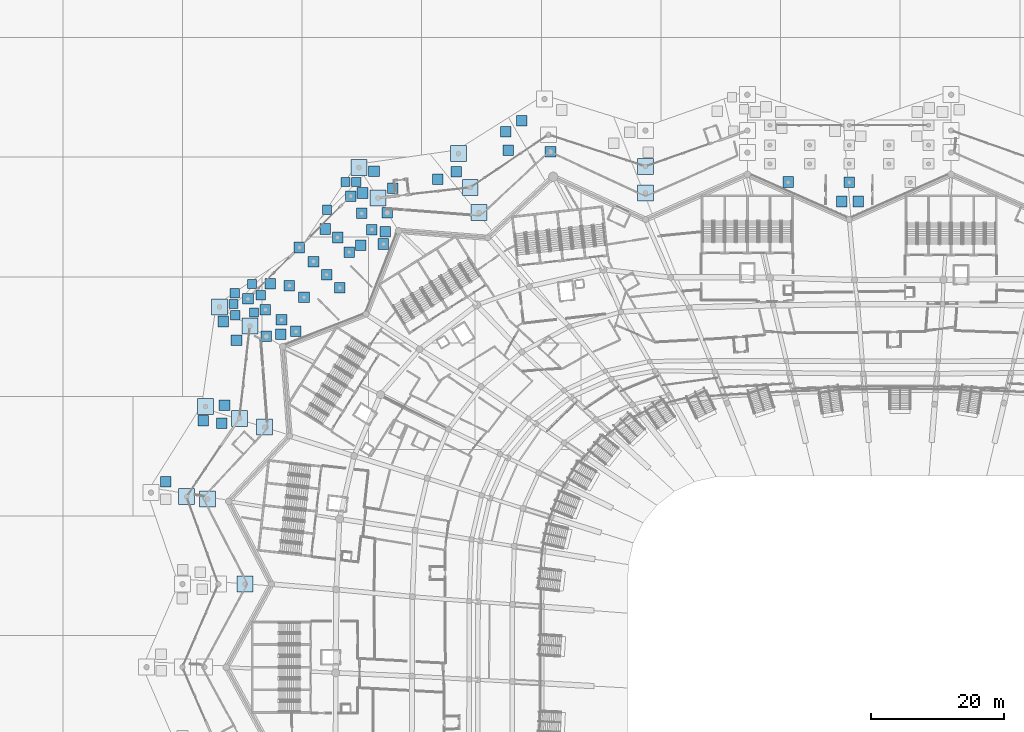
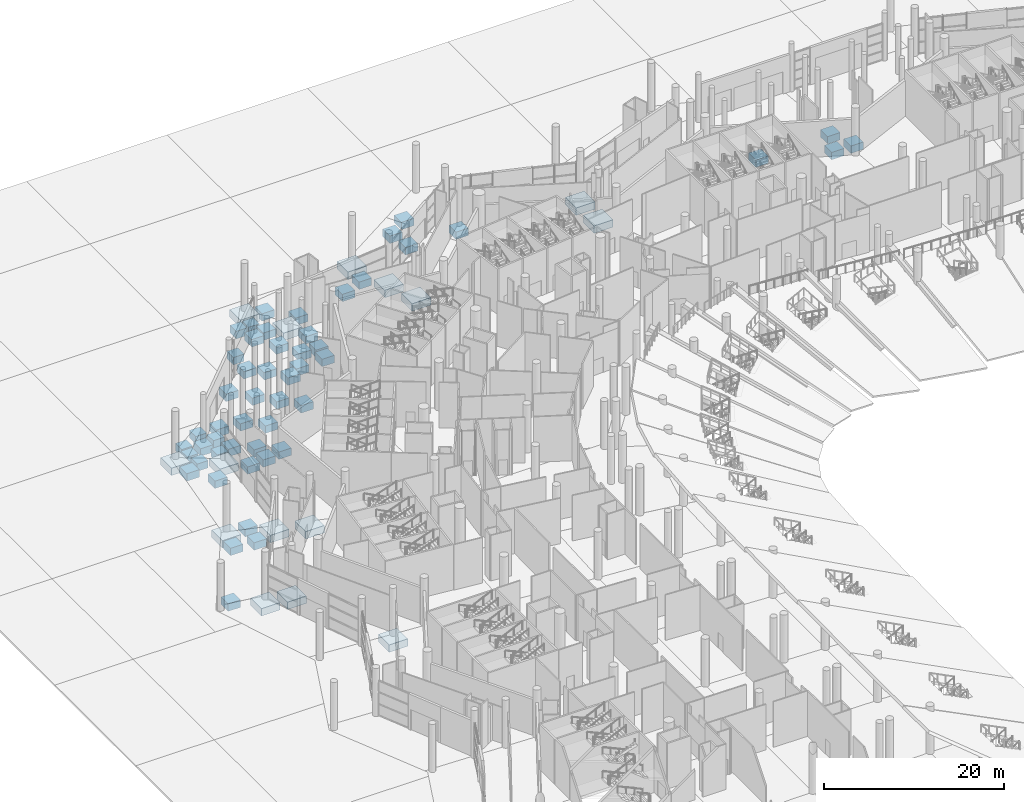
# One storey, part 6 of 255: 66 footings.
"""IFC4 building model written with IfcOpenShell, lengths in metres."""

from ifc_helpers import new_model, si_unit, direction, frame, origin, place, context, subcontext, project, spatial, polyline, outline, extrude, material, type_object, element, save


model = new_model("IFC4")

# Units and contexts
model_context = context("Model", 3, precision=1e-05, world=origin(), true_north=direction((0.0, 1.0)))
body_context = subcontext(model_context, "Body", "Model", "MODEL_VIEW")
ifc_project = project(units=[si_unit("LENGTHUNIT", "METRE"), si_unit("AREAUNIT", "SQUARE_METRE"), si_unit("VOLUMEUNIT", "CUBIC_METRE"), si_unit("PLANEANGLEUNIT", "RADIAN"), si_unit("MASSUNIT", "GRAM", prefix="KILO")], contexts=[model_context])

# Site, building, storey
site_placement = place(None, origin())
site = spatial("IfcSite", under=ifc_project, at=site_placement, CompositionType="ELEMENT")
building_placement = place(site_placement, origin())
building = spatial("IfcBuilding", under=site, at=building_placement, Name="Meseta Stadium", CompositionType="ELEMENT")
storey_placement = place(building_placement, origin())
storey = spatial("IfcBuildingStorey", under=building, at=storey_placement, Name="L00", CompositionType="ELEMENT", Elevation=0.0)

# Footings
ifc_material_1 = material(Name="Concrete C30/37", Category="concrete")
footing_type_1 = type_object("IfcFootingType", Name="Gate pad footing 1400", PredefinedType="PAD_FOOTING", material=ifc_material_1)
footing_1_placement = place(storey_placement, frame((0.0, 0.0, -1.300048828125)))
element("IfcFooting", 1, at=footing_1_placement, inside=storey, type_object=footing_type_1, Name="Paving pad footing", PredefinedType="PAD_FOOTING", context=body_context, shape_type="SweptSolid", body=[
    extrude(outline(polyline([(-96.83203125, 88.20703125), (-96.83203125, 89.60693359375), (-98.23193359375, 89.60693359375), (-98.23193359375, 88.20703125), (-96.83203125, 88.20703125)])), origin(), (0.0, 0.0, 1.0), 1.0),
])
footing_2_placement = place(storey_placement, frame((0.0, 0.0, -1.300048828125)))
element("IfcFooting", 2, at=footing_2_placement, inside=storey, type_object=footing_type_1, Name="Paving pad footing", PredefinedType="PAD_FOOTING", context=body_context, shape_type="SweptSolid", body=[
    extrude(outline(polyline([(-99.632080078125, 85.20703125), (-99.632080078125, 86.60693359375), (-101.031982421875, 86.60693359375), (-101.031982421875, 85.20703125), (-99.632080078125, 85.20703125)])), origin(), (0.0, 0.0, 1.0), 1.0),
])
footing_3_placement = place(storey_placement, frame((0.0, 0.0, -1.300048828125)))
element("IfcFooting", 3, at=footing_3_placement, inside=storey, type_object=footing_type_1, Name="Paving pad footing", PredefinedType="PAD_FOOTING", context=body_context, shape_type="SweptSolid", body=[
    extrude(outline(polyline([(-99.431884765625, 86.806884765625), (-99.431884765625, 88.20703125), (-100.83203125, 88.20703125), (-100.83203125, 86.806884765625), (-99.431884765625, 86.806884765625)])), origin(), (0.0, 0.0, 1.0), 1.0),
])
footing_4_placement = place(storey_placement, frame((0.0, 0.0, -1.300048828125)))
element("IfcFooting", 4, at=footing_4_placement, inside=storey, type_object=footing_type_1, Name="Paving pad footing", PredefinedType="PAD_FOOTING", context=body_context, shape_type="SweptSolid", body=[
    extrude(outline(polyline([(-85.56494140625, 99.364990234375), (-85.56494140625, 100.764892578125), (-86.965087890625, 100.764892578125), (-86.965087890625, 99.364990234375), (-85.56494140625, 99.364990234375)])), origin(), (0.0, 0.0, 1.0), 1.0),
])
footing_5_placement = place(storey_placement, frame((0.0, 0.0, -1.300048828125)))
element("IfcFooting", 5, at=footing_5_placement, inside=storey, type_object=footing_type_1, Name="Paving pad footing", PredefinedType="PAD_FOOTING", context=body_context, shape_type="SweptSolid", body=[
    extrude(outline(polyline([(-81.1650390625, 103.56494140625), (-81.1650390625, 104.965087890625), (-82.56494140625, 104.965087890625), (-82.56494140625, 103.56494140625), (-81.1650390625, 103.56494140625)])), origin(), (0.0, 0.0, 1.0), 1.0),
])
footing_6_placement = place(storey_placement, frame((0.0, 0.0, -1.300048828125)))
element("IfcFooting", 6, at=footing_6_placement, inside=storey, type_object=footing_type_1, Name="Paving pad footing", PredefinedType="PAD_FOOTING", context=body_context, shape_type="SweptSolid", body=[
    extrude(outline(polyline([(-82.764892578125, 103.56494140625), (-82.764892578125, 104.965087890625), (-84.1650390625, 104.965087890625), (-84.1650390625, 103.56494140625), (-82.764892578125, 103.56494140625)])), origin(), (0.0, 0.0, 1.0), 1.0),
])
footing_7_placement = place(storey_placement, frame((0.0, 0.0, -1.300048828125)))
element("IfcFooting", 7, at=footing_7_placement, inside=storey, type_object=footing_type_1, Name="Paving pad footing", PredefinedType="PAD_FOOTING", context=body_context, shape_type="SweptSolid", body=[
    extrude(outline(polyline([(-99.3369140625, 83.51708984375), (-99.3369140625, 84.9169921875), (-100.737060546875, 84.9169921875), (-100.737060546875, 83.51708984375), (-99.3369140625, 83.51708984375)])), origin(), (0.0, 0.0, 1.0), 1.0),
])
footing_8_placement = place(storey_placement, frame((0.0, 0.0, -1.300048828125)))
element("IfcFooting", 8, at=footing_8_placement, inside=storey, type_object=footing_type_1, Name="Paving pad footing", PredefinedType="PAD_FOOTING", context=body_context, shape_type="SweptSolid", body=[
    extrude(outline(polyline([(-95.537109375, 86.51708984375), (-95.537109375, 87.9169921875), (-96.93701171875, 87.9169921875), (-96.93701171875, 86.51708984375), (-95.537109375, 86.51708984375)])), origin(), (0.0, 0.0, 1.0), 1.0),
])
footing_9_placement = place(storey_placement, frame((0.0, 0.0, -1.300048828125)))
element("IfcFooting", 9, at=footing_9_placement, inside=storey, type_object=footing_type_1, Name="Paving pad footing", PredefinedType="PAD_FOOTING", context=body_context, shape_type="SweptSolid", body=[
    extrude(outline(polyline([(-96.537109375, 83.9169921875), (-96.537109375, 85.31689453125), (-97.93701171875, 85.31689453125), (-97.93701171875, 83.9169921875), (-96.537109375, 83.9169921875)])), origin(), (0.0, 0.0, 1.0), 1.0),
])
ifc_material_2 = material(Name="Concrete C30/37", Category="concrete")
footing_type_2 = type_object("IfcFootingType", Name="Gate pad footing 1600", PredefinedType="PAD_FOOTING", material=ifc_material_2)
footing_10_placement = place(storey_placement, frame((0.0, 0.0, -1.300048828125)))
element("IfcFooting", 10, at=footing_10_placement, inside=storey, type_object=footing_type_2, Name="Gate 3 pad footing", PredefinedType="PAD_FOOTING", context=body_context, shape_type="SweptSolid", body=[
    extrude(outline(polyline([(-6.86669921875, 103.39990234375), (-6.86669921875, 105.0), (-8.466796875, 105.0), (-8.466796875, 103.39990234375), (-6.86669921875, 103.39990234375)])), origin(), (0.0, 0.0, 1.0), 1.0),
])
footing_11_placement = place(storey_placement, frame((0.0, 0.0, -1.300048828125)))
element("IfcFooting", 11, at=footing_11_placement, inside=storey, type_object=footing_type_2, Name="Gate 3 pad footing", PredefinedType="PAD_FOOTING", context=body_context, shape_type="SweptSolid", body=[
    extrude(outline(polyline([(-16.02197265625, 103.46337890625), (-16.02197265625, 105.0634765625), (-17.6220703125, 105.0634765625), (-17.6220703125, 103.46337890625), (-16.02197265625, 103.46337890625)])), origin(), (0.0, 0.0, 1.0), 1.0),
])
footing_12_placement = place(storey_placement, frame((0.0, 0.0, -1.300048828125)))
element("IfcFooting", 12, at=footing_12_placement, inside=storey, type_object=footing_type_2, Name="Gate 4 pad footing", PredefinedType="PAD_FOOTING", context=body_context, shape_type="SweptSolid", body=[
    extrude(outline(polyline([(-76.997802734375, 94.130615234375), (-76.997802734375, 95.73046875), (-78.597900390625, 95.73046875), (-78.597900390625, 94.130615234375), (-76.997802734375, 94.130615234375)])), origin(), (0.0, 0.0, 1.0), 1.0),
])
footing_13_placement = place(storey_placement, frame((0.0, 0.0, -1.300048828125)))
element("IfcFooting", 13, at=footing_13_placement, inside=storey, type_object=footing_type_2, Name="Gate 4 pad footing", PredefinedType="PAD_FOOTING", context=body_context, shape_type="SweptSolid", body=[
    extrude(outline(polyline([(-83.525146484375, 87.525146484375), (-83.525146484375, 89.125244140625), (-85.125244140625, 89.125244140625), (-85.125244140625, 87.525146484375), (-83.525146484375, 87.525146484375)])), origin(), (0.0, 0.0, 1.0), 1.0),
])
footing_14_placement = place(storey_placement, frame((0.0, 0.0, -1.300048828125)))
element("IfcFooting", 14, at=footing_14_placement, inside=storey, type_object=footing_type_2, Name="Gate 4 pad footing", PredefinedType="PAD_FOOTING", context=body_context, shape_type="SweptSolid", body=[
    extrude(outline(polyline([(-90.130615234375, 80.997802734375), (-90.130615234375, 82.597900390625), (-91.73046875, 82.597900390625), (-91.73046875, 80.997802734375), (-90.130615234375, 80.997802734375)])), origin(), (0.0, 0.0, 1.0), 1.0),
])
footing_15_placement = place(storey_placement, frame((0.0, 0.0, -1.300048828125)))
element("IfcFooting", 15, at=footing_15_placement, inside=storey, type_object=footing_type_2, Name="Gate 4 pad footing", PredefinedType="PAD_FOOTING", context=body_context, shape_type="SweptSolid", body=[
    extrude(outline(polyline([(-78.7099609375, 96.30029296875), (-78.7099609375, 97.900390625), (-80.309814453125, 97.900390625), (-80.309814453125, 96.30029296875), (-78.7099609375, 96.30029296875)])), origin(), (0.0, 0.0, 1.0), 1.0),
])
footing_16_placement = place(storey_placement, frame((0.0, 0.0, -1.300048828125)))
element("IfcFooting", 16, at=footing_16_placement, inside=storey, type_object=footing_type_2, Name="Gate 4 pad footing", PredefinedType="PAD_FOOTING", context=body_context, shape_type="SweptSolid", body=[
    extrude(outline(polyline([(-82.107421875, 92.902587890625), (-82.107421875, 94.502685546875), (-83.70751953125, 94.502685546875), (-83.70751953125, 92.902587890625), (-82.107421875, 92.902587890625)])), origin(), (0.0, 0.0, 1.0), 1.0),
])
footing_17_placement = place(storey_placement, frame((0.0, 0.0, -1.300048828125)))
element("IfcFooting", 17, at=footing_17_placement, inside=storey, type_object=footing_type_2, Name="Gate 4 pad footing", PredefinedType="PAD_FOOTING", context=body_context, shape_type="SweptSolid", body=[
    extrude(outline(polyline([(-85.505126953125, 89.505126953125), (-85.505126953125, 91.10498046875), (-87.10498046875, 91.10498046875), (-87.10498046875, 89.505126953125), (-85.505126953125, 89.505126953125)])), origin(), (0.0, 0.0, 1.0), 1.0),
])
footing_18_placement = place(storey_placement, frame((0.0, 0.0, -1.300048828125)))
element("IfcFooting", 18, at=footing_18_placement, inside=storey, type_object=footing_type_2, Name="Gate 4 pad footing", PredefinedType="PAD_FOOTING", context=body_context, shape_type="SweptSolid", body=[
    extrude(outline(polyline([(-88.902587890625, 86.107421875), (-88.902587890625, 87.70751953125), (-90.502685546875, 87.70751953125), (-90.502685546875, 86.107421875), (-88.902587890625, 86.107421875)])), origin(), (0.0, 0.0, 1.0), 1.0),
])
footing_19_placement = place(storey_placement, frame((0.0, 0.0, -1.300048828125)))
element("IfcFooting", 19, at=footing_19_placement, inside=storey, type_object=footing_type_2, Name="Gate 4 pad footing", PredefinedType="PAD_FOOTING", context=body_context, shape_type="SweptSolid", body=[
    extrude(outline(polyline([(-92.30029296875, 82.7099609375), (-92.30029296875, 84.309814453125), (-93.900390625, 84.309814453125), (-93.900390625, 82.7099609375), (-92.30029296875, 82.7099609375)])), origin(), (0.0, 0.0, 1.0), 1.0),
])
footing_20_placement = place(storey_placement, frame((0.0, 0.0, -1.300048828125)))
element("IfcFooting", 20, at=footing_20_placement, inside=storey, type_object=footing_type_2, Name="Gate 4 pad footing", PredefinedType="PAD_FOOTING", context=body_context, shape_type="SweptSolid", body=[
    extrude(outline(polyline([(-80.23779296875, 98.732177734375), (-80.23779296875, 100.33203125), (-81.837890625, 100.33203125), (-81.837890625, 98.732177734375), (-80.23779296875, 98.732177734375)])), origin(), (0.0, 0.0, 1.0), 1.0),
])
footing_21_placement = place(storey_placement, frame((0.0, 0.0, -1.300048828125)))
element("IfcFooting", 21, at=footing_21_placement, inside=storey, type_object=footing_type_2, Name="Gate 4 pad footing", PredefinedType="PAD_FOOTING", context=body_context, shape_type="SweptSolid", body=[
    extrude(outline(polyline([(-83.861328125, 95.1083984375), (-83.861328125, 96.70849609375), (-85.46142578125, 96.70849609375), (-85.46142578125, 95.1083984375), (-83.861328125, 95.1083984375)])), origin(), (0.0, 0.0, 1.0), 1.0),
])
footing_22_placement = place(storey_placement, frame((0.0, 0.0, -1.300048828125)))
element("IfcFooting", 22, at=footing_22_placement, inside=storey, type_object=footing_type_2, Name="Gate 4 pad footing", PredefinedType="PAD_FOOTING", context=body_context, shape_type="SweptSolid", body=[
    extrude(outline(polyline([(-87.485107421875, 91.485107421875), (-87.485107421875, 93.0849609375), (-89.0849609375, 93.0849609375), (-89.0849609375, 91.485107421875), (-87.485107421875, 91.485107421875)])), origin(), (0.0, 0.0, 1.0), 1.0),
])
footing_23_placement = place(storey_placement, frame((0.0, 0.0, -1.300048828125)))
element("IfcFooting", 23, at=footing_23_placement, inside=storey, type_object=footing_type_2, Name="Gate 4 pad footing", PredefinedType="PAD_FOOTING", context=body_context, shape_type="SweptSolid", body=[
    extrude(outline(polyline([(-91.1083984375, 87.861328125), (-91.1083984375, 89.46142578125), (-92.70849609375, 89.46142578125), (-92.70849609375, 87.861328125), (-91.1083984375, 87.861328125)])), origin(), (0.0, 0.0, 1.0), 1.0),
])
footing_24_placement = place(storey_placement, frame((0.0, 0.0, -1.300048828125)))
element("IfcFooting", 24, at=footing_24_placement, inside=storey, type_object=footing_type_2, Name="Gate 4 pad footing", PredefinedType="PAD_FOOTING", context=body_context, shape_type="SweptSolid", body=[
    extrude(outline(polyline([(-94.732177734375, 84.23779296875), (-94.732177734375, 85.837890625), (-96.33203125, 85.837890625), (-96.33203125, 84.23779296875), (-94.732177734375, 84.23779296875)])), origin(), (0.0, 0.0, 1.0), 1.0),
])
footing_25_placement = place(storey_placement, frame((0.0, 0.0, -1.300048828125)))
element("IfcFooting", 25, at=footing_25_placement, inside=storey, type_object=footing_type_2, Name="Gate 4 pad footing", PredefinedType="PAD_FOOTING", context=body_context, shape_type="SweptSolid", body=[
    extrude(outline(polyline([(-81.875, 101.337646484375), (-81.875, 102.9375), (-83.47509765625, 102.9375), (-83.47509765625, 101.337646484375), (-81.875, 101.337646484375)])), origin(), (0.0, 0.0, 1.0), 1.0),
])
footing_26_placement = place(storey_placement, frame((0.0, 0.0, -1.300048828125)))
element("IfcFooting", 26, at=footing_26_placement, inside=storey, type_object=footing_type_2, Name="Gate 4 pad footing", PredefinedType="PAD_FOOTING", context=body_context, shape_type="SweptSolid", body=[
    extrude(outline(polyline([(-89.606201171875, 93.606201171875), (-89.606201171875, 95.206298828125), (-91.206298828125, 95.206298828125), (-91.206298828125, 93.606201171875), (-89.606201171875, 93.606201171875)])), origin(), (0.0, 0.0, 1.0), 1.0),
])
footing_27_placement = place(storey_placement, frame((0.0, 0.0, -1.300048828125)))
element("IfcFooting", 27, at=footing_27_placement, inside=storey, type_object=footing_type_2, Name="Gate 4 pad footing", PredefinedType="PAD_FOOTING", context=body_context, shape_type="SweptSolid", body=[
    extrude(outline(polyline([(-97.337646484375, 85.875), (-97.337646484375, 87.47509765625), (-98.9375, 87.47509765625), (-98.9375, 85.875), (-97.337646484375, 85.875)])), origin(), (0.0, 0.0, 1.0), 1.0),
])
ifc_material_3 = material(Name="Concrete C30/37", Category="concrete")
footing_type_3 = type_object("IfcFootingType", Name="Ring pad footing 1600", PredefinedType="PAD_FOOTING", material=ifc_material_3)
footing_28_placement = place(storey_placement, frame((0.0, 0.0, -1.300048828125)))
element("IfcFooting", 28, at=footing_28_placement, inside=storey, type_object=footing_type_3, Name="Ring pad footing F22M", PredefinedType="PAD_FOOTING", context=body_context, shape_type="SweptSolid", body=[
    extrude(outline(polyline([(-51.826171875, 108.00830078125), (-51.826171875, 109.608154296875), (-53.426025390625, 109.608154296875), (-53.426025390625, 108.00830078125), (-51.826171875, 108.00830078125)])), origin(), (0.0, 0.0, 1.0), 1.0),
])
footing_29_placement = place(storey_placement, frame((0.0, 0.0, -1.300048828125)))
element("IfcFooting", 29, at=footing_29_placement, inside=storey, type_object=footing_type_3, Name="Ring pad footing F24M", PredefinedType="PAD_FOOTING", context=body_context, shape_type="SweptSolid", body=[
    extrude(outline(polyline([(-76.38720703125, 98.834228515625), (-76.38720703125, 100.43408203125), (-77.9873046875, 100.43408203125), (-77.9873046875, 98.834228515625), (-76.38720703125, 98.834228515625)])), origin(), (0.0, 0.0, 1.0), 1.0),
])
footing_30_placement = place(storey_placement, frame((0.0, 0.0, -1.300048828125)))
element("IfcFooting", 30, at=footing_30_placement, inside=storey, type_object=footing_type_3, Name="Ring pad footing F26M", PredefinedType="PAD_FOOTING", context=body_context, shape_type="SweptSolid", body=[
    extrude(outline(polyline([(-94.580078125, 80.2275390625), (-94.580078125, 81.82763671875), (-96.18017578125, 81.82763671875), (-96.18017578125, 80.2275390625), (-94.580078125, 80.2275390625)])), origin(), (0.0, 0.0, 1.0), 1.0),
])
footing_31_placement = place(storey_placement, frame((0.0, 0.0, -1.300048828125)))
element("IfcFooting", 31, at=footing_31_placement, inside=storey, type_object=footing_type_3, Name="Paving pad footing", PredefinedType="PAD_FOOTING", context=body_context, shape_type="SweptSolid", body=[
    extrude(outline(polyline([(-8.0, 100.532958984375), (-8.0, 102.133056640625), (-9.60009765625, 102.133056640625), (-9.60009765625, 100.532958984375), (-8.0, 100.532958984375)])), origin(), (0.0, 0.0, 1.0), 1.0),
])
footing_32_placement = place(storey_placement, frame((0.0, 0.0, -1.300048828125)))
element("IfcFooting", 32, at=footing_32_placement, inside=storey, type_object=footing_type_3, Name="Paving pad footing", PredefinedType="PAD_FOOTING", context=body_context, shape_type="SweptSolid", body=[
    extrude(outline(polyline([(-5.531982421875, 100.532958984375), (-5.531982421875, 102.133056640625), (-7.132080078125, 102.133056640625), (-7.132080078125, 100.532958984375), (-5.531982421875, 100.532958984375)])), origin(), (0.0, 0.0, 1.0), 1.0),
])
footing_33_placement = place(storey_placement, frame((0.0, 0.0, -1.300048828125)))
element("IfcFooting", 33, at=footing_33_placement, inside=storey, type_object=footing_type_3, Name="Paving pad footing", PredefinedType="PAD_FOOTING", context=body_context, shape_type="SweptSolid", body=[
    extrude(outline(polyline([(-80.39990234375, 93.94189453125), (-80.39990234375, 95.5419921875), (-82.0, 95.5419921875), (-82.0, 93.94189453125), (-80.39990234375, 93.94189453125)])), origin(), (0.0, 0.0, 1.0), 1.0),
])
footing_34_placement = place(storey_placement, frame((0.0, 0.0, -1.300048828125)))
element("IfcFooting", 34, at=footing_34_placement, inside=storey, type_object=footing_type_3, Name="Paving pad footing", PredefinedType="PAD_FOOTING", context=body_context, shape_type="SweptSolid", body=[
    extrude(outline(polyline([(-92.39990234375, 80.5419921875), (-92.39990234375, 82.14208984375), (-94.0, 82.14208984375), (-94.0, 80.5419921875), (-92.39990234375, 80.5419921875)])), origin(), (0.0, 0.0, 1.0), 1.0),
])
footing_35_placement = place(storey_placement, frame((0.0, 0.0, -1.300048828125)))
element("IfcFooting", 35, at=footing_35_placement, inside=storey, type_object=footing_type_3, Name="Paving pad footing", PredefinedType="PAD_FOOTING", context=body_context, shape_type="SweptSolid", body=[
    extrude(outline(polyline([(-94.0, 88.14208984375), (-94.0, 89.741943359375), (-95.60009765625, 89.741943359375), (-95.60009765625, 88.14208984375), (-94.0, 88.14208984375)])), origin(), (0.0, 0.0, 1.0), 1.0),
])
footing_36_placement = place(storey_placement, frame((0.0, 0.0, -1.300048828125)))
element("IfcFooting", 36, at=footing_36_placement, inside=storey, type_object=footing_type_3, Name="Paving pad footing", PredefinedType="PAD_FOOTING", context=body_context, shape_type="SweptSolid", body=[
    extrude(outline(polyline([(-85.701904296875, 96.39794921875), (-85.701904296875, 97.998046875), (-87.302001953125, 97.998046875), (-87.302001953125, 96.39794921875), (-85.701904296875, 96.39794921875)])), origin(), (0.0, 0.0, 1.0), 1.0),
])
footing_37_placement = place(storey_placement, frame((0.0, 0.0, -1.300048828125)))
element("IfcFooting", 37, at=footing_37_placement, inside=storey, type_object=footing_type_3, Name="Paving pad footing", PredefinedType="PAD_FOOTING", context=body_context, shape_type="SweptSolid", body=[
    extrude(outline(polyline([(-76.701904296875, 95.998046875), (-76.701904296875, 97.597900390625), (-78.302001953125, 97.597900390625), (-78.302001953125, 95.998046875), (-76.701904296875, 95.998046875)])), origin(), (0.0, 0.0, 1.0), 1.0),
])
footing_38_placement = place(storey_placement, frame((0.0, 0.0, -1.300048828125)))
element("IfcFooting", 38, at=footing_38_placement, inside=storey, type_object=footing_type_3, Name="Paving pad footing", PredefinedType="PAD_FOOTING", context=body_context, shape_type="SweptSolid", body=[
    extrude(outline(polyline([(-80.10205078125, 101.798095703125), (-80.10205078125, 103.39794921875), (-81.701904296875, 103.39794921875), (-81.701904296875, 101.798095703125), (-80.10205078125, 101.798095703125)])), origin(), (0.0, 0.0, 1.0), 1.0),
])
footing_39_placement = place(storey_placement, frame((0.0, 0.0, -1.300048828125)))
element("IfcFooting", 39, at=footing_39_placement, inside=storey, type_object=footing_type_3, Name="Paving pad footing", PredefinedType="PAD_FOOTING", context=body_context, shape_type="SweptSolid", body=[
    extrude(outline(polyline([(-78.373046875, 105.096923828125), (-78.373046875, 106.697021484375), (-79.972900390625, 106.697021484375), (-79.972900390625, 105.096923828125), (-78.373046875, 105.096923828125)])), origin(), (0.0, 0.0, 1.0), 1.0),
])
footing_40_placement = place(storey_placement, frame((0.0, 0.0, -1.300048828125)))
element("IfcFooting", 40, at=footing_40_placement, inside=storey, type_object=footing_type_3, Name="Paving pad footing", PredefinedType="PAD_FOOTING", context=body_context, shape_type="SweptSolid", body=[
    extrude(outline(polyline([(-68.77294921875, 103.89697265625), (-68.77294921875, 105.4970703125), (-70.373046875, 105.4970703125), (-70.373046875, 103.89697265625), (-68.77294921875, 103.89697265625)])), origin(), (0.0, 0.0, 1.0), 1.0),
])
footing_41_placement = place(storey_placement, frame((0.0, 0.0, -1.300048828125)))
element("IfcFooting", 41, at=footing_41_placement, inside=storey, type_object=footing_type_3, Name="Paving pad footing", PredefinedType="PAD_FOOTING", context=body_context, shape_type="SweptSolid", body=[
    extrude(outline(polyline([(-75.572998046875, 102.4970703125), (-75.572998046875, 104.096923828125), (-77.173095703125, 104.096923828125), (-77.173095703125, 102.4970703125), (-75.572998046875, 102.4970703125)])), origin(), (0.0, 0.0, 1.0), 1.0),
])
footing_42_placement = place(storey_placement, frame((0.0, 0.0, -1.300048828125)))
element("IfcFooting", 42, at=footing_42_placement, inside=storey, type_object=footing_type_3, Name="Paving pad footing", PredefinedType="PAD_FOOTING", context=body_context, shape_type="SweptSolid", body=[
    extrude(outline(polyline([(-58.576904296875, 111.01806640625), (-58.576904296875, 112.617919921875), (-60.177001953125, 112.617919921875), (-60.177001953125, 111.01806640625), (-58.576904296875, 111.01806640625)])), origin(), (0.0, 0.0, 1.0), 1.0),
])
footing_43_placement = place(storey_placement, frame((0.0, 0.0, -1.300048828125)))
element("IfcFooting", 43, at=footing_43_placement, inside=storey, type_object=footing_type_3, Name="Paving pad footing", PredefinedType="PAD_FOOTING", context=body_context, shape_type="SweptSolid", body=[
    extrude(outline(polyline([(-65.97705078125, 105.01806640625), (-65.97705078125, 106.617919921875), (-67.576904296875, 106.617919921875), (-67.576904296875, 105.01806640625), (-65.97705078125, 105.01806640625)])), origin(), (0.0, 0.0, 1.0), 1.0),
])
footing_44_placement = place(storey_placement, frame((0.0, 0.0, -1.300048828125)))
element("IfcFooting", 44, at=footing_44_placement, inside=storey, type_object=footing_type_3, Name="Paving pad footing", PredefinedType="PAD_FOOTING", context=body_context, shape_type="SweptSolid", body=[
    extrude(outline(polyline([(-58.177001953125, 108.218017578125), (-58.177001953125, 109.818115234375), (-59.777099609375, 109.818115234375), (-59.777099609375, 108.218017578125), (-58.177001953125, 108.218017578125)])), origin(), (0.0, 0.0, 1.0), 1.0),
])
footing_45_placement = place(storey_placement, frame((0.0, 0.0, -1.300048828125)))
element("IfcFooting", 45, at=footing_45_placement, inside=storey, type_object=footing_type_3, Name="Paving pad footing", PredefinedType="PAD_FOOTING", context=body_context, shape_type="SweptSolid", body=[
    extrude(outline(polyline([(-56.12890625, 112.69091796875), (-56.12890625, 114.291015625), (-57.72900390625, 114.291015625), (-57.72900390625, 112.69091796875), (-56.12890625, 112.69091796875)])), origin(), (0.0, 0.0, 1.0), 1.0),
])
footing_46_placement = place(storey_placement, frame((0.0, 0.0, -1.300048828125)))
element("IfcFooting", 46, at=footing_46_placement, inside=storey, type_object=footing_type_3, Name="Paving pad footing", PredefinedType="PAD_FOOTING", context=body_context, shape_type="SweptSolid", body=[
    extrude(outline(polyline([(-109.695068359375, 58.346923828125), (-109.695068359375, 59.947021484375), (-111.294921875, 59.947021484375), (-111.294921875, 58.346923828125), (-109.695068359375, 58.346923828125)])), origin(), (0.0, 0.0, 1.0), 1.0),
])
footing_47_placement = place(storey_placement, frame((0.0, 0.0, -1.300048828125)))
element("IfcFooting", 47, at=footing_47_placement, inside=storey, type_object=footing_type_3, Name="Paving pad footing", PredefinedType="PAD_FOOTING", context=body_context, shape_type="SweptSolid", body=[
    extrude(outline(polyline([(-101.294921875, 67.14697265625), (-101.294921875, 68.7470703125), (-102.89501953125, 68.7470703125), (-102.89501953125, 67.14697265625), (-101.294921875, 67.14697265625)])), origin(), (0.0, 0.0, 1.0), 1.0),
])
footing_48_placement = place(storey_placement, frame((0.0, 0.0, -1.300048828125)))
element("IfcFooting", 48, at=footing_48_placement, inside=storey, type_object=footing_type_3, Name="Paving pad footing", PredefinedType="PAD_FOOTING", context=body_context, shape_type="SweptSolid", body=[
    extrude(outline(polyline([(-104.094970703125, 67.547119140625), (-104.094970703125, 69.14697265625), (-105.695068359375, 69.14697265625), (-105.695068359375, 67.547119140625), (-104.094970703125, 67.547119140625)])), origin(), (0.0, 0.0, 1.0), 1.0),
])
footing_49_placement = place(storey_placement, frame((0.0, 0.0, -1.300048828125)))
element("IfcFooting", 49, at=footing_49_placement, inside=storey, type_object=footing_type_3, Name="Paving pad footing", PredefinedType="PAD_FOOTING", context=body_context, shape_type="SweptSolid", body=[
    extrude(outline(polyline([(-101.0791015625, 82.4609375), (-101.0791015625, 84.06103515625), (-102.678955078125, 84.06103515625), (-102.678955078125, 82.4609375), (-101.0791015625, 82.4609375)])), origin(), (0.0, 0.0, 1.0), 1.0),
])
footing_50_placement = place(storey_placement, frame((0.0, 0.0, -1.300048828125)))
element("IfcFooting", 50, at=footing_50_placement, inside=storey, type_object=footing_type_3, Name="Paving pad footing", PredefinedType="PAD_FOOTING", context=body_context, shape_type="SweptSolid", body=[
    extrude(outline(polyline([(-100.87890625, 69.861083984375), (-100.87890625, 71.4609375), (-102.47900390625, 71.4609375), (-102.47900390625, 69.861083984375), (-100.87890625, 69.861083984375)])), origin(), (0.0, 0.0, 1.0), 1.0),
])
footing_51_placement = place(storey_placement, frame((0.0, 0.0, -1.300048828125)))
element("IfcFooting", 51, at=footing_51_placement, inside=storey, type_object=footing_type_3, Name="Paving pad footing", PredefinedType="PAD_FOOTING", context=body_context, shape_type="SweptSolid", body=[
    extrude(outline(polyline([(-99.0791015625, 79.660888671875), (-99.0791015625, 81.260986328125), (-100.678955078125, 81.260986328125), (-100.678955078125, 79.660888671875), (-99.0791015625, 79.660888671875)])), origin(), (0.0, 0.0, 1.0), 1.0),
])
ifc_material_4 = material(Name="Concrete C30/37", Category="concrete")
footing_type_4 = type_object("IfcFootingType", Name="Ring pad footing 2400", PredefinedType="PAD_FOOTING", material=ifc_material_4)
footing_52_placement = place(storey_placement, frame((0.0, 0.0, -1.300048828125)))
element("IfcFooting", 52, at=footing_52_placement, inside=storey, type_object=footing_type_4, Name="Ring pad footing F21M", PredefinedType="PAD_FOOTING", context=body_context, shape_type="SweptSolid", body=[
    extrude(outline(polyline([(-37.13330078125, 101.39990234375), (-37.13330078125, 103.800048828125), (-39.533203125, 103.800048828125), (-39.533203125, 101.39990234375), (-37.13330078125, 101.39990234375)])), origin(), (0.0, 0.0, 1.0), 1.0),
])
footing_53_placement = place(storey_placement, frame((0.0, 0.0, -1.300048828125)))
element("IfcFooting", 53, at=footing_53_placement, inside=storey, type_object=footing_type_4, Name="Ring pad footing F21Q", PredefinedType="PAD_FOOTING", context=body_context, shape_type="SweptSolid", body=[
    extrude(outline(polyline([(-37.13330078125, 105.39990234375), (-37.13330078125, 107.800048828125), (-39.533203125, 107.800048828125), (-39.533203125, 105.39990234375), (-37.13330078125, 105.39990234375)])), origin(), (0.0, 0.0, 1.0), 1.0),
])
footing_54_placement = place(storey_placement, frame((0.0, 0.0, -1.300048828125)))
element("IfcFooting", 54, at=footing_54_placement, inside=storey, type_object=footing_type_4, Name="Ring pad footing F23M", PredefinedType="PAD_FOOTING", context=body_context, shape_type="SweptSolid", body=[
    extrude(outline(polyline([(-62.172607421875, 98.4482421875), (-62.172607421875, 100.848388671875), (-64.57275390625, 100.848388671875), (-64.57275390625, 98.4482421875), (-62.172607421875, 98.4482421875)])), origin(), (0.0, 0.0, 1.0), 1.0),
])
footing_55_placement = place(storey_placement, frame((0.0, 0.0, -1.300048828125)))
element("IfcFooting", 55, at=footing_55_placement, inside=storey, type_object=footing_type_4, Name="Ring pad footing F23Q", PredefinedType="PAD_FOOTING", context=body_context, shape_type="SweptSolid", body=[
    extrude(outline(polyline([(-63.493896484375, 102.223876953125), (-63.493896484375, 104.623779296875), (-65.893798828125, 104.623779296875), (-65.893798828125, 102.223876953125), (-63.493896484375, 102.223876953125)])), origin(), (0.0, 0.0, 1.0), 1.0),
])
footing_56_placement = place(storey_placement, frame((0.0, 0.0, -1.300048828125)))
element("IfcFooting", 56, at=footing_56_placement, inside=storey, type_object=footing_type_4, Name="Ring pad footing F23O", PredefinedType="PAD_FOOTING", context=body_context, shape_type="SweptSolid", body=[
    extrude(outline(polyline([(-65.27734375, 107.32080078125), (-65.27734375, 109.720703125), (-67.67724609375, 109.720703125), (-67.67724609375, 107.32080078125), (-65.27734375, 107.32080078125)])), origin(), (0.0, 0.0, 1.0), 1.0),
])
footing_57_placement = place(storey_placement, frame((0.0, 0.0, -1.300048828125)))
element("IfcFooting", 57, at=footing_57_placement, inside=storey, type_object=footing_type_4, Name="Ring pad footing F24Q", PredefinedType="PAD_FOOTING", context=body_context, shape_type="SweptSolid", body=[
    extrude(outline(polyline([(-77.380615234375, 100.65185546875), (-77.380615234375, 103.052001953125), (-79.78076171875, 103.052001953125), (-79.78076171875, 100.65185546875), (-77.380615234375, 100.65185546875)])), origin(), (0.0, 0.0, 1.0), 1.0),
])
footing_58_placement = place(storey_placement, frame((0.0, 0.0, -1.300048828125)))
element("IfcFooting", 58, at=footing_58_placement, inside=storey, type_object=footing_type_4, Name="Ring pad footing F24O", PredefinedType="PAD_FOOTING", context=body_context, shape_type="SweptSolid", body=[
    extrude(outline(polyline([(-80.253662109375, 105.22412109375), (-80.253662109375, 107.624267578125), (-82.65380859375, 107.624267578125), (-82.65380859375, 105.22412109375), (-80.253662109375, 105.22412109375)])), origin(), (0.0, 0.0, 1.0), 1.0),
])
footing_59_placement = place(storey_placement, frame((0.0, 0.0, -1.300048828125)))
element("IfcFooting", 59, at=footing_59_placement, inside=storey, type_object=footing_type_4, Name="Ring pad footing F26Q", PredefinedType="PAD_FOOTING", context=body_context, shape_type="SweptSolid", body=[
    extrude(outline(polyline([(-96.65185546875, 81.380615234375), (-96.65185546875, 83.78076171875), (-99.052001953125, 83.78076171875), (-99.052001953125, 81.380615234375), (-96.65185546875, 81.380615234375)])), origin(), (0.0, 0.0, 1.0), 1.0),
])
footing_60_placement = place(storey_placement, frame((0.0, 0.0, -1.300048828125)))
element("IfcFooting", 60, at=footing_60_placement, inside=storey, type_object=footing_type_4, Name="Ring pad footing F26O", PredefinedType="PAD_FOOTING", context=body_context, shape_type="SweptSolid", body=[
    extrude(outline(polyline([(-101.22412109375, 84.253662109375), (-101.22412109375, 86.65380859375), (-103.624267578125, 86.65380859375), (-103.624267578125, 84.253662109375), (-101.22412109375, 84.253662109375)])), origin(), (0.0, 0.0, 1.0), 1.0),
])
footing_61_placement = place(storey_placement, frame((0.0, 0.0, -1.300048828125)))
element("IfcFooting", 61, at=footing_61_placement, inside=storey, type_object=footing_type_4, Name="Ring pad footing F27M", PredefinedType="PAD_FOOTING", context=body_context, shape_type="SweptSolid", body=[
    extrude(outline(polyline([(-94.4482421875, 66.172607421875), (-94.4482421875, 68.57275390625), (-96.848388671875, 68.57275390625), (-96.848388671875, 66.172607421875), (-94.4482421875, 66.172607421875)])), origin(), (0.0, 0.0, 1.0), 1.0),
])
footing_62_placement = place(storey_placement, frame((0.0, 0.0, -1.300048828125)))
element("IfcFooting", 62, at=footing_62_placement, inside=storey, type_object=footing_type_4, Name="Ring pad footing F27Q", PredefinedType="PAD_FOOTING", context=body_context, shape_type="SweptSolid", body=[
    extrude(outline(polyline([(-98.223876953125, 67.493896484375), (-98.223876953125, 69.893798828125), (-100.623779296875, 69.893798828125), (-100.623779296875, 67.493896484375), (-98.223876953125, 67.493896484375)])), origin(), (0.0, 0.0, 1.0), 1.0),
])
footing_63_placement = place(storey_placement, frame((0.0, 0.0, -1.300048828125)))
element("IfcFooting", 63, at=footing_63_placement, inside=storey, type_object=footing_type_4, Name="Ring pad footing F27O", PredefinedType="PAD_FOOTING", context=body_context, shape_type="SweptSolid", body=[
    extrude(outline(polyline([(-103.32080078125, 69.27734375), (-103.32080078125, 71.67724609375), (-105.720703125, 71.67724609375), (-105.720703125, 69.27734375), (-103.32080078125, 69.27734375)])), origin(), (0.0, 0.0, 1.0), 1.0),
])
footing_64_placement = place(storey_placement, frame((0.0, 0.0, -1.300048828125)))
element("IfcFooting", 64, at=footing_64_placement, inside=storey, type_object=footing_type_4, Name="Ring pad footing F28M", PredefinedType="PAD_FOOTING", context=body_context, shape_type="SweptSolid", body=[
    extrude(outline(polyline([(-103.011962890625, 55.35888671875), (-103.011962890625, 57.7587890625), (-105.412109375, 57.7587890625), (-105.412109375, 55.35888671875), (-103.011962890625, 55.35888671875)])), origin(), (0.0, 0.0, 1.0), 1.0),
])
footing_65_placement = place(storey_placement, frame((0.0, 0.0, -1.300048828125)))
element("IfcFooting", 65, at=footing_65_placement, inside=storey, type_object=footing_type_4, Name="Ring pad footing F28Q", PredefinedType="PAD_FOOTING", context=body_context, shape_type="SweptSolid", body=[
    extrude(outline(polyline([(-106.17236328125, 55.715087890625), (-106.17236328125, 58.114990234375), (-108.572509765625, 58.114990234375), (-108.572509765625, 55.715087890625), (-106.17236328125, 55.715087890625)])), origin(), (0.0, 0.0, 1.0), 1.0),
])
footing_66_placement = place(storey_placement, frame((0.0, 0.0, -1.300048828125)))
element("IfcFooting", 66, at=footing_66_placement, inside=storey, type_object=footing_type_4, Name="Ring pad footing F29M", PredefinedType="PAD_FOOTING", context=body_context, shape_type="SweptSolid", body=[
    extrude(outline(polyline([(-97.39990234375, 42.550048828125), (-97.39990234375, 44.949951171875), (-99.800048828125, 44.949951171875), (-99.800048828125, 42.550048828125), (-97.39990234375, 42.550048828125)])), origin(), (0.0, 0.0, 1.0), 1.0),
])

save(model, "model.ifc")
